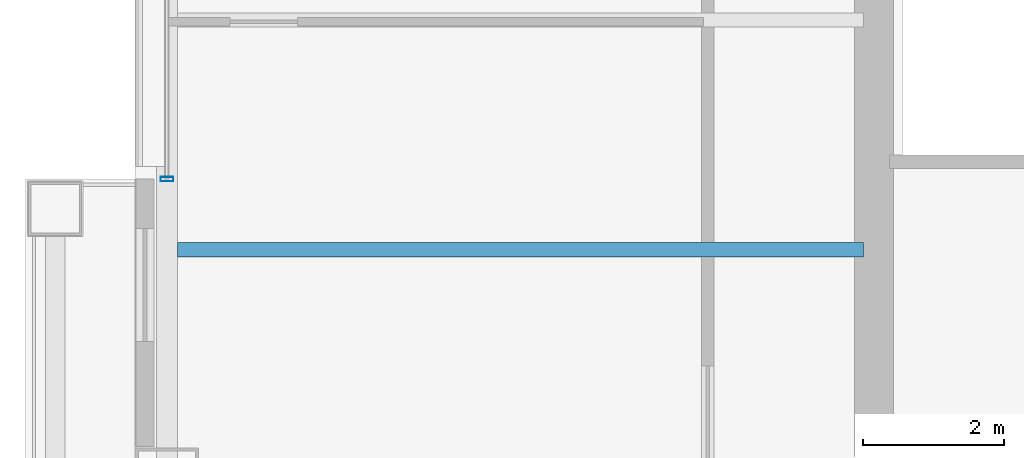
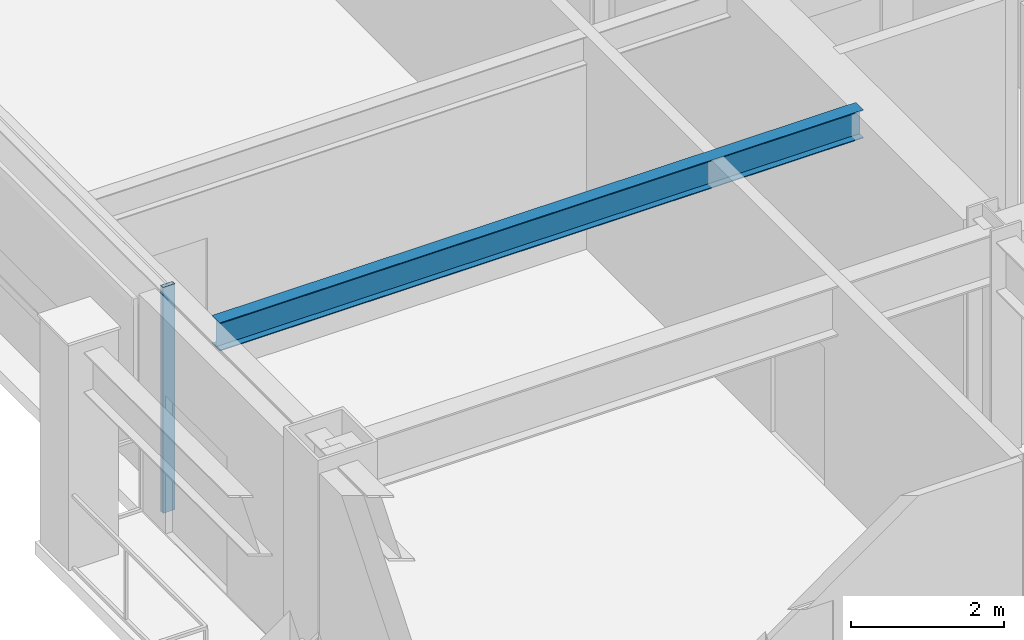
# One storey, part 6 of 30: 1 beam, 1 member, 1 element without a shape of its own.
"""IFC4 building model written with IfcOpenShell, lengths in metres."""

from ifc_helpers import new_model, si_unit, direction, frame, origin, origin_2d, place, context, subcontext, project, spatial, hollow_rectangle, i_section, extrude, material, layer, layer_set, material_profile, profile_set, type_object, element, aggregate, save


model = new_model("IFC4")

# Units and contexts
model_context = context("Model", 3, precision=1e-05, world=origin(), true_north=direction((0.0, 1.0)))
body_context = subcontext(model_context, "Body", "Model", "MODEL_VIEW")
ifc_project = project(units=[si_unit("LENGTHUNIT", "METRE"), si_unit("AREAUNIT", "SQUARE_METRE"), si_unit("VOLUMEUNIT", "CUBIC_METRE"), si_unit("PLANEANGLEUNIT", "RADIAN"), si_unit("MASSUNIT", "GRAM", prefix="KILO")], contexts=[model_context])

# Site, building, storey
site_placement = place(None, origin())
site = spatial("IfcSite", under=ifc_project, at=site_placement, CompositionType="ELEMENT")
building_placement = place(site_placement, origin())
building = spatial("IfcBuilding", under=site, at=building_placement, Name="Brelmoor Portico Tower", CompositionType="ELEMENT")
storey_placement = place(building_placement, frame((0.0, 0.0, 56.39990234375)))
storey = spatial("IfcBuildingStorey", under=building, at=storey_placement, Name="L14", CompositionType="ELEMENT", Elevation=56.39990234375)

# Beam
ifc_material_1 = material(Name="Steel Q355B", Category="steel")
ifc_material_profile_1 = material_profile(ifc_material_1, i_section(OverallWidth=0.199951171875, OverallDepth=0.449951171875, WebThickness=0.009033203125, FlangeThickness=0.013916015625, at=origin_2d()), Name="HN 450x200x9x14")
ifc_profile_set_1 = profile_set([ifc_material_profile_1], Name="Steel Q355B")
beam_type = type_object("IfcBeamType", Name="BM-JS-450", PredefinedType="JOIST", material=ifc_profile_set_1)
beam_placement = place(storey_placement, frame((-24.39990234375, -6.5, 3.175048828125), z_axis=(1.0, 0.0, 0.0), x_axis=(0.0, 1.0, 0.0)))
element("IfcBeam", 1, at=beam_placement, inside=storey, type_object=beam_type, Name="L14 Secondary Wing Joist JS-W05", PredefinedType="JOIST", context=body_context, shape_type="SweptSolid", body=[
    extrude(i_section(OverallWidth=0.199951171875, OverallDepth=0.449951171875, WebThickness=0.009033203125, FlangeThickness=0.013916015625, at=origin_2d()), origin(), (0.0, 0.0, 1.0), 9.699951171875),
])

# Curtain wall, member
ifc_material_2 = material(Name="Anodised Aluminium Alloy 6063-T6", Category="aluminium")
ifc_layer = layer(ifc_material_2, 0.179931640625)
ifc_layer_set = layer_set([ifc_layer], Name="Anodised Aluminium Alloy 6063-T6")
curtain_wall_type = type_object("IfcCurtainWallType", Name="CW-TOWER-Z1", PredefinedType="NOTDEFINED", material=ifc_layer_set)
curtain_wall_placement = place(storey_placement, origin())
curtain_wall = element("IfcCurtainWall", 2, at=curtain_wall_placement, inside=storey, type_object=curtain_wall_type, Name="L14 Curtain Wall CW-L14-3R-1", PredefinedType="NOTDEFINED")
ifc_material_profile_2 = material_profile(ifc_material_2, hollow_rectangle(XDim=0.06494140625, YDim=0.179931640625, WallThickness=0.00390625, at=origin_2d()), Name="ALU MULLION 65x180")
ifc_profile_set_2 = profile_set([ifc_material_profile_2], Name="Anodised Aluminium Alloy 6063-T6")
member_type = type_object("IfcMemberType", Name="MB-CW-MULL-180", PredefinedType="MULLION", material=ifc_profile_set_2)
member_placement = place(storey_placement, frame((-24.550048828125, -5.5, -0.199951171875), z_axis=(0.0, 0.0, 1.0), x_axis=(0.0, 1.0, 0.0)))
member = element("IfcMember", 3, at=member_placement, type_object=member_type, Name="CW-L14-3R-1 Mullion 00", PredefinedType="MULLION", context=body_context, shape_type="SweptSolid", body=[
    extrude(hollow_rectangle(XDim=0.06494140625, YDim=0.179931640625, WallThickness=0.00390625, at=origin_2d()), origin(), (0.0, 0.0, 1.0), 3.60009765625),
])
aggregate(curtain_wall, [member])

save(model, "model.ifc")
